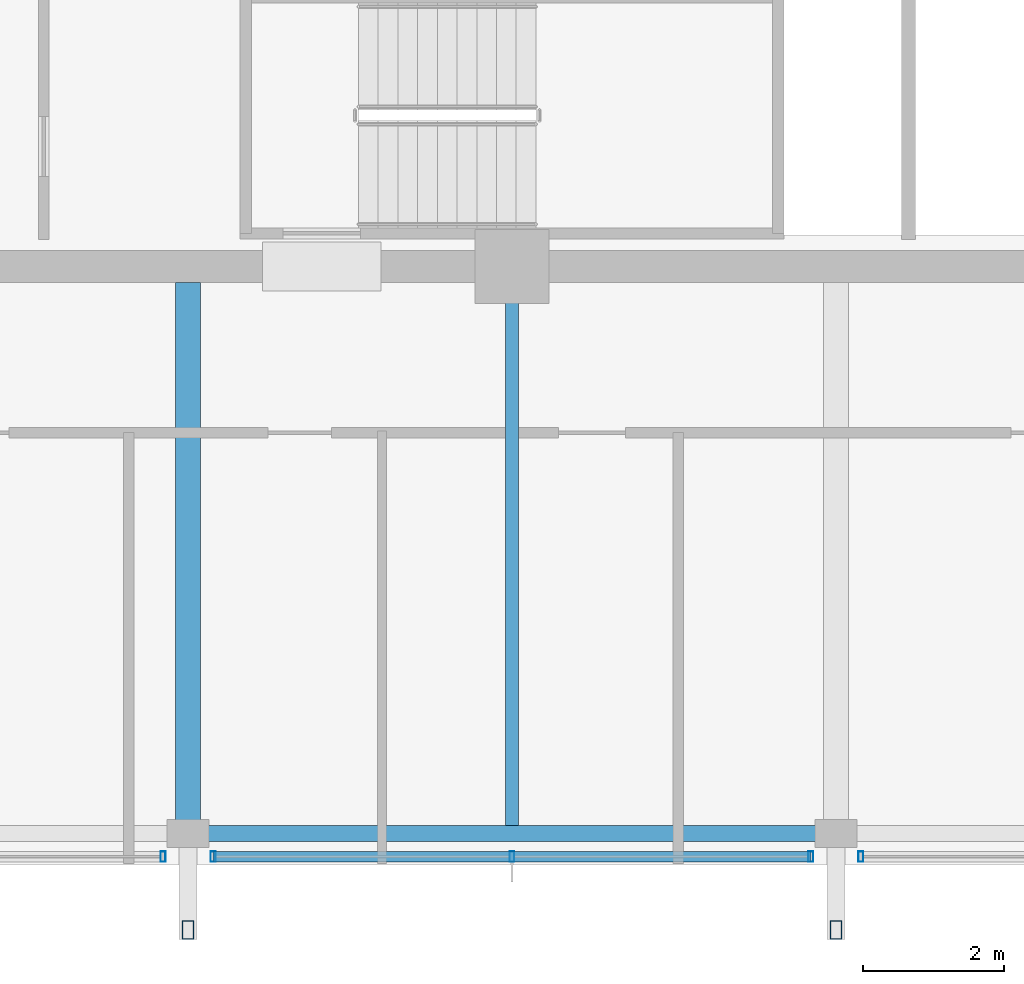
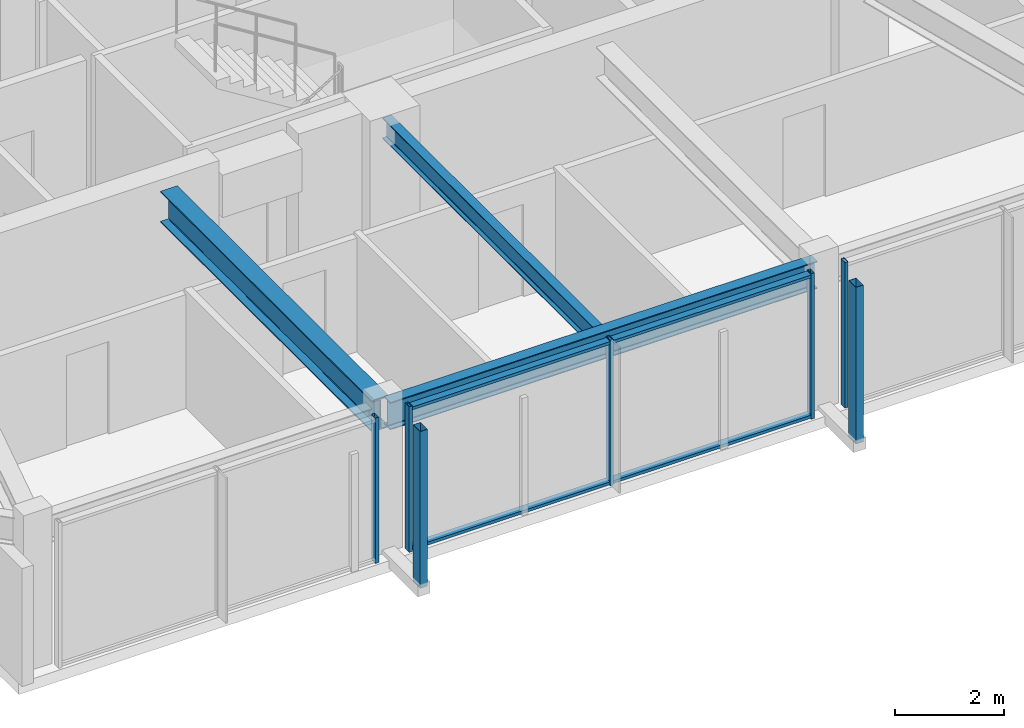
# One storey, part 5 of 31: 9 members, 3 beams, 3 elements without a shape of their own.
"""IFC4 building model written with IfcOpenShell, lengths in metres."""

from ifc_helpers import new_model, si_unit, direction, frame, origin, origin_2d, place, context, subcontext, project, spatial, hollow_rectangle, i_section, extrude, material, material_profile, profile_set, type_object, element, aggregate, save


model = new_model("IFC4")

# Units and contexts
model_context = context("Model", 3, precision=1e-05, world=origin(), true_north=direction((0.0, 1.0)))
body_context = subcontext(model_context, "Body", "Model", "MODEL_VIEW")
ifc_project = project(units=[si_unit("LENGTHUNIT", "METRE"), si_unit("AREAUNIT", "SQUARE_METRE"), si_unit("VOLUMEUNIT", "CUBIC_METRE"), si_unit("PLANEANGLEUNIT", "RADIAN"), si_unit("MASSUNIT", "GRAM", prefix="KILO")], contexts=[model_context])

# Site, building, storey
site_placement = place(None, origin())
site = spatial("IfcSite", under=ifc_project, at=site_placement, CompositionType="ELEMENT")
building_placement = place(site_placement, origin())
building = spatial("IfcBuilding", under=site, at=building_placement, Name="Kolvaren Belvedere", CompositionType="ELEMENT")
storey_placement = place(building_placement, frame((0.0, 0.0, 251.39990234375)))
storey = spatial("IfcBuildingStorey", under=building, at=storey_placement, Name="L73", CompositionType="ELEMENT", Elevation=251.39990234375)

# Beams
ifc_material_1 = material(Name="Structural steel ASTM A992 Grade 50", Category="steel")
ifc_material_profile_1 = material_profile(ifc_material_1, i_section(OverallWidth=0.35498046875, OverallDepth=0.696044921875, WebThickness=0.015380859375, FlangeThickness=0.02490234375, FilletRadius=0.02197265625, at=origin_2d()), Name="W27X146")
ifc_profile_set_1 = profile_set([ifc_material_profile_1], Name="Structural steel ASTM A992 Grade 50")
beam_type_1 = type_object("IfcBeamType", Name="BM-GIRD-W27X146", PredefinedType="BEAM", material=ifc_profile_set_1)
beam_1_placement = place(storey_placement, frame((-4.60009765625, -10.125, 2.902099609375), z_axis=(0.0, -1.0, 0.0), x_axis=(1.0, 0.0, 0.0)))
element("IfcBeam", 1, at=beam_1_placement, inside=storey, type_object=beam_type_1, Name="L73 South Radial Girder M", PredefinedType="BEAM", context=body_context, shape_type="SweptSolid", body=[
    extrude(i_section(OverallWidth=0.35498046875, OverallDepth=0.696044921875, WebThickness=0.015380859375, FlangeThickness=0.02490234375, FilletRadius=0.02197265625, at=origin_2d()), origin(), (0.0, 0.0, 1.0), 7.735107421875),
])
ifc_material_2 = material(Name="Structural steel ASTM A992 Grade 50", Category="steel")
ifc_material_profile_2 = material_profile(ifc_material_2, i_section(OverallWidth=0.19091796875, OverallDepth=0.4599609375, WebThickness=0.010009765625, FlangeThickness=0.01611328125, FilletRadius=0.014892578125, at=origin_2d()), Name="W18X55")
ifc_profile_set_2 = profile_set([ifc_material_profile_2], Name="Structural steel ASTM A992 Grade 50")
beam_type_2 = type_object("IfcBeamType", Name="BM-JOIST-W18X55", PredefinedType="BEAM", material=ifc_profile_set_2)
beam_2_placement = place(storey_placement, frame((0.0, -10.125, 3.02001953125), z_axis=(0.0, -1.0, 0.0), x_axis=(1.0, 0.0, 0.0)))
element("IfcBeam", 2, at=beam_2_placement, inside=storey, type_object=beam_type_2, Name="L73 South Centre Floor Beam", PredefinedType="BEAM", context=body_context, shape_type="SweptSolid", body=[
    extrude(i_section(OverallWidth=0.19091796875, OverallDepth=0.4599609375, WebThickness=0.010009765625, FlangeThickness=0.01611328125, FilletRadius=0.014892578125, at=origin_2d()), origin(), (0.0, 0.0, 1.0), 7.71044921875),
])
ifc_material_3 = material(Name="Structural steel ASTM A992 Grade 50", Category="steel")
ifc_material_profile_3 = material_profile(ifc_material_3, i_section(OverallWidth=0.22900390625, OverallDepth=0.612060546875, WebThickness=0.011962890625, FlangeThickness=0.01953125, FilletRadius=0.01806640625, at=origin_2d()), Name="W24X84")
ifc_profile_set_3 = profile_set([ifc_material_profile_3], Name="Structural steel ASTM A992 Grade 50")
beam_type_3 = type_object("IfcBeamType", Name="BM-SPAN-W24X84", PredefinedType="SPANDREL", material=ifc_profile_set_3)
beam_3_placement = place(storey_placement, frame((-4.510009765625, -17.949951171875, 2.944091796875), z_axis=(1.0, 0.0, 0.0), x_axis=(0.0, 1.0, 0.0)))
element("IfcBeam", 3, at=beam_3_placement, inside=storey, type_object=beam_type_3, Name="L73 Perimeter Spandrel S2-S3", PredefinedType="SPANDREL", context=body_context, shape_type="SweptSolid", body=[
    extrude(i_section(OverallWidth=0.22900390625, OverallDepth=0.612060546875, WebThickness=0.011962890625, FlangeThickness=0.01953125, FilletRadius=0.01806640625, at=origin_2d()), origin(), (0.0, 0.0, 1.0), 9.02001953125),
])

# Curtain wall, member
ifc_material_4 = material(Name="Anodised pale-metal aluminium AA 6063-T6", Category="aluminium")
curtain_wall_type = type_object("IfcCurtainWallType", Name="CW-Z5-HIGH", PredefinedType="NOTDEFINED", material=ifc_material_4)
curtain_wall_1_placement = place(storey_placement, origin())
curtain_wall_1 = element("IfcCurtainWall", 4, at=curtain_wall_1_placement, inside=storey, type_object=curtain_wall_type, Name="L73 Unitised Curtain Wall FCW-L73-S-B1", PredefinedType="NOTDEFINED")
ifc_material_5 = material(Name="Anodised pale-metal aluminium AA 6063-T6", Category="aluminium")
ifc_material_profile_4 = material_profile(ifc_material_5, hollow_rectangle(XDim=0.070068359375, YDim=0.14990234375, WallThickness=0.004150390625, at=origin_2d()), Name="ALU-MUL-150X70")
ifc_profile_set_4 = profile_set([ifc_material_profile_4], Name="Anodised pale-metal aluminium AA 6063-T6")
member_type_1 = type_object("IfcMemberType", Name="CW-MUL-150", PredefinedType="MULLION", material=ifc_profile_set_4)
member_1_placement = place(storey_placement, frame((4.955078125, -18.280029296875, 0.0), z_axis=(0.0, 0.0, 1.0), x_axis=(1.0, 0.0, 0.0)))
member_1 = element("IfcMember", 5, at=member_1_placement, type_object=member_type_1, Name="FCW-L73-S-B1 Unitised Mullion 3", PredefinedType="MULLION", context=body_context, shape_type="SweptSolid", body=[
    extrude(hollow_rectangle(XDim=0.070068359375, YDim=0.14990234375, WallThickness=0.004150390625, at=origin_2d()), origin(), (0.0, 0.0, 1.0), 3.25),
])
aggregate(curtain_wall_1, [member_1])

# Curtain wall, members
curtain_wall_2_placement = place(storey_placement, origin())
curtain_wall_2 = element("IfcCurtainWall", 6, at=curtain_wall_2_placement, inside=storey, type_object=curtain_wall_type, Name="L73 Unitised Curtain Wall FCW-L73-S-B2", PredefinedType="NOTDEFINED")
member_2_placement = place(storey_placement, frame((4.2451171875, -18.280029296875, 0.0), z_axis=(0.0, 0.0, 1.0), x_axis=(1.0, 0.0, 0.0)))
member_2 = element("IfcMember", 7, at=member_2_placement, type_object=member_type_1, Name="FCW-L73-S-B2 Unitised Mullion 1", PredefinedType="MULLION", context=body_context, shape_type="SweptSolid", body=[
    extrude(hollow_rectangle(XDim=0.070068359375, YDim=0.14990234375, WallThickness=0.004150390625, at=origin_2d()), origin(), (0.0, 0.0, 1.0), 3.25),
])
member_3_placement = place(storey_placement, frame((0.0, -18.280029296875, 0.0), z_axis=(0.0, 0.0, 1.0), x_axis=(1.0, 0.0, 0.0)))
member_3 = element("IfcMember", 8, at=member_3_placement, type_object=member_type_1, Name="FCW-L73-S-B2 Unitised Mullion 2", PredefinedType="MULLION", context=body_context, shape_type="SweptSolid", body=[
    extrude(hollow_rectangle(XDim=0.070068359375, YDim=0.14990234375, WallThickness=0.004150390625, at=origin_2d()), origin(), (0.0, 0.0, 1.0), 3.25),
])
member_4_placement = place(storey_placement, frame((-4.2451171875, -18.280029296875, 0.0), z_axis=(0.0, 0.0, 1.0), x_axis=(1.0, 0.0, 0.0)))
member_4 = element("IfcMember", 9, at=member_4_placement, type_object=member_type_1, Name="FCW-L73-S-B2 Unitised Mullion 3", PredefinedType="MULLION", context=body_context, shape_type="SweptSolid", body=[
    extrude(hollow_rectangle(XDim=0.070068359375, YDim=0.14990234375, WallThickness=0.004150390625, at=origin_2d()), origin(), (0.0, 0.0, 1.0), 3.25),
])

# Curtain wall, member
curtain_wall_3_placement = place(storey_placement, origin())
curtain_wall_3 = element("IfcCurtainWall", 10, at=curtain_wall_3_placement, inside=storey, type_object=curtain_wall_type, Name="L73 Unitised Curtain Wall FCW-L73-S-B3", PredefinedType="NOTDEFINED")
member_5_placement = place(storey_placement, frame((-4.955078125, -18.280029296875, 0.0), z_axis=(0.0, 0.0, 1.0), x_axis=(1.0, 0.0, 0.0)))
member_5 = element("IfcMember", 11, at=member_5_placement, type_object=member_type_1, Name="FCW-L73-S-B3 Unitised Mullion 1", PredefinedType="MULLION", context=body_context, shape_type="SweptSolid", body=[
    extrude(hollow_rectangle(XDim=0.070068359375, YDim=0.14990234375, WallThickness=0.004150390625, at=origin_2d()), origin(), (0.0, 0.0, 1.0), 3.25),
])
aggregate(curtain_wall_3, [member_5])

# Member
ifc_material_6 = material(Name="Anodised pale-metal aluminium AA 6063-T6", Category="aluminium")
ifc_material_profile_5 = material_profile(ifc_material_6, hollow_rectangle(XDim=0.06494140625, YDim=0.14990234375, WallThickness=0.00390625, at=origin_2d()), Name="ALU-TRN-150X65")
ifc_profile_set_5 = profile_set([ifc_material_profile_5], Name="Anodised pale-metal aluminium AA 6063-T6")
member_type_2 = type_object("IfcMemberType", Name="CW-TRN-150", PredefinedType="USERDEFINED", material=ifc_profile_set_5)
member_6_placement = place(storey_placement, frame((4.2451171875, -18.280029296875, 0.06005859375), z_axis=(-1.0, 0.0, 0.0), x_axis=(0.0, 0.0, 1.0)))
member_6 = element("IfcMember", 12, at=member_6_placement, type_object=member_type_2, Name="FCW-L73-S-B2 Sill Transom", ObjectType="TRANSOM", PredefinedType="USERDEFINED", context=body_context, shape_type="SweptSolid", body=[
    extrude(hollow_rectangle(XDim=0.06494140625, YDim=0.14990234375, WallThickness=0.00390625, at=origin_2d()), origin(), (0.0, 0.0, 1.0), 8.490234375),
])

member_7_placement = place(storey_placement, frame((4.2451171875, -18.280029296875, 3.190185546875), z_axis=(-1.0, 0.0, 0.0), x_axis=(0.0, 0.0, 1.0)))
member_7 = element("IfcMember", 13, at=member_7_placement, type_object=member_type_2, Name="FCW-L73-S-B2 Head Transom", ObjectType="TRANSOM", PredefinedType="USERDEFINED", context=body_context, shape_type="SweptSolid", body=[
    extrude(hollow_rectangle(XDim=0.06494140625, YDim=0.14990234375, WallThickness=0.00390625, at=origin_2d()), origin(), (0.0, 0.0, 1.0), 8.490234375),
])

aggregate(curtain_wall_2, [member_2, member_3, member_4, member_6, member_7])

# Members
ifc_material_7 = material(Name="Anodised pale-metal aluminium AA 6063-T6", Category="aluminium")
ifc_material_profile_6 = material_profile(ifc_material_7, hollow_rectangle(XDim=0.159912109375, YDim=0.260009765625, WallThickness=0.006591796875, at=origin_2d()), Name="ALU-PF-260X160")
ifc_profile_set_6 = profile_set([ifc_material_profile_6], Name="Anodised pale-metal aluminium AA 6063-T6")
member_type_3 = type_object("IfcMemberType", Name="PF-FRAME-260", PredefinedType="USERDEFINED", material=ifc_profile_set_6)
for number, where, z_axis, x_axis, name in (
    (14, (4.60009765625, -19.320068359375, 0.0), (0.0, 0.0, 1.0), (1.0, 0.0, 0.0), "L73 Outboard Picture-Frame Vertical S1"),
    (15, (-4.60009765625, -19.320068359375, 0.0), (0.0, 0.0, 1.0), (1.0, 0.0, 0.0), "L73 Outboard Picture-Frame Vertical S2"),
):
    element("IfcMember", number, at=place(storey_placement, frame(where, z_axis=z_axis, x_axis=x_axis)), inside=storey, type_object=member_type_3, Name=name, ObjectType="PICTURE FRAME FIN", PredefinedType="USERDEFINED", context=body_context, shape_type="SweptSolid", body=[
        extrude(hollow_rectangle(XDim=0.159912109375, YDim=0.260009765625, WallThickness=0.006591796875, at=origin_2d()), origin(), (0.0, 0.0, 1.0), 3.5),
    ])

save(model, "model.ifc")
